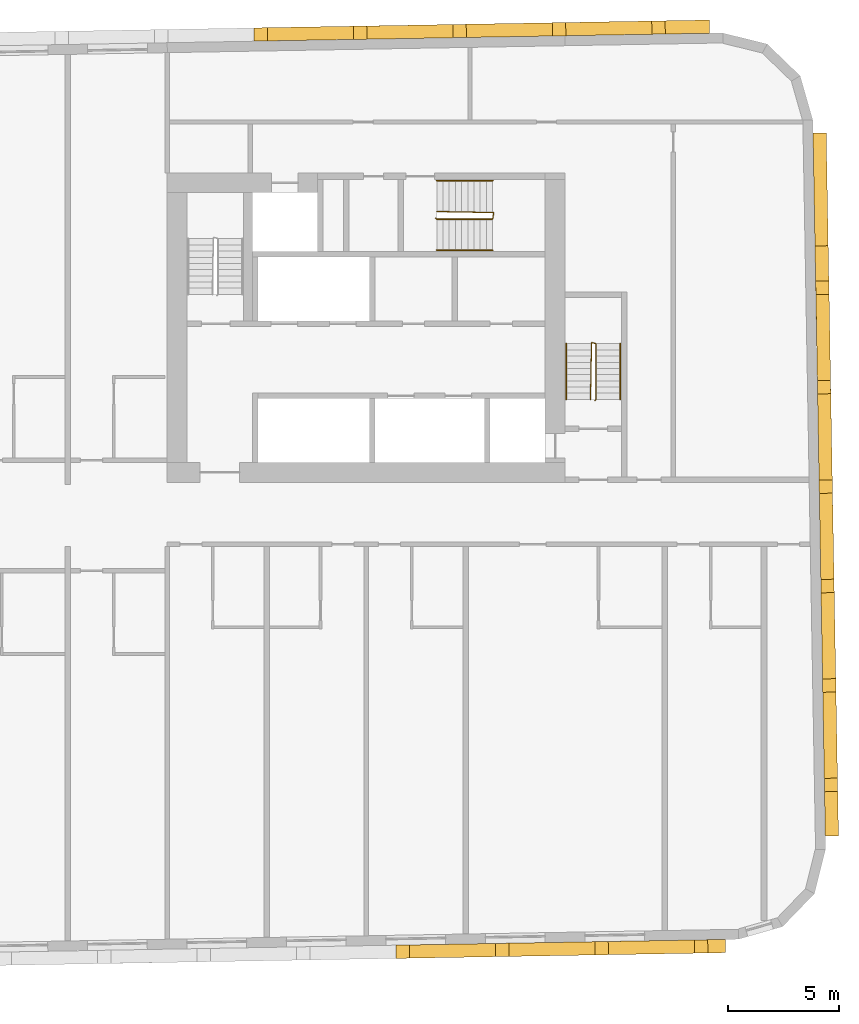
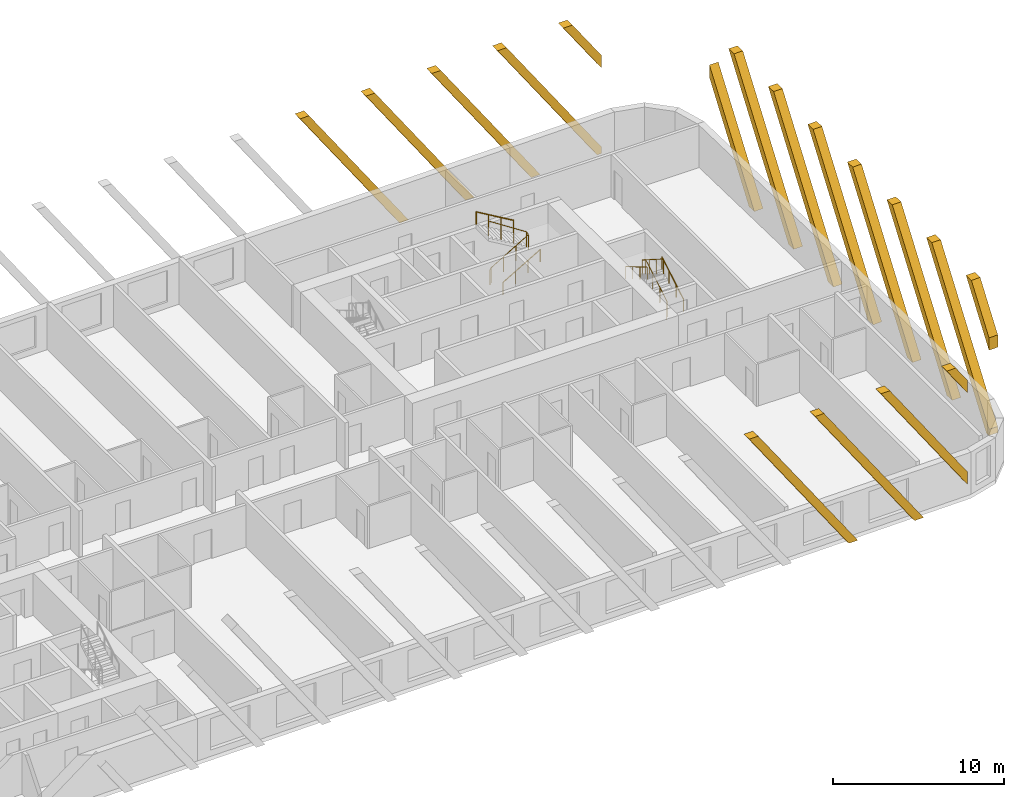
# One storey, part 13 of 13: 17 coverings, 6 railings.
"""IFC4 building model written with IfcOpenShell, lengths in metres."""

from ifc_helpers import new_model, si_unit, direction, frame, origin, origin_2d, place, context, subcontext, project, spatial, polyline, rectangle, circle, outline, extrude, material, material_profile, profile_set, type_object, element, save


model = new_model("IFC4")

# Units and contexts
model_context = context("Model", 3, precision=1e-05, world=origin(), true_north=direction((0.0, 1.0)))
body_context = subcontext(model_context, "Body", "Model", "MODEL_VIEW")
ifc_project = project(units=[si_unit("LENGTHUNIT", "METRE"), si_unit("AREAUNIT", "SQUARE_METRE"), si_unit("VOLUMEUNIT", "CUBIC_METRE"), si_unit("PLANEANGLEUNIT", "RADIAN"), si_unit("MASSUNIT", "GRAM", prefix="KILO")], contexts=[model_context])

# Site, building, storey
site_placement = place(None, origin())
site = spatial("IfcSite", under=ifc_project, at=site_placement, CompositionType="ELEMENT")
building_placement = place(site_placement, origin())
building = spatial("IfcBuilding", under=site, at=building_placement, Name="Kajstack Hotel Tower", CompositionType="ELEMENT")
storey_placement = place(building_placement, frame((0.0, 0.0, 237.5)))
storey = spatial("IfcBuildingStorey", under=building, at=storey_placement, Name="L58", CompositionType="ELEMENT", Elevation=237.5)

# Coverings
ifc_material_1 = material(Name="Terracotta", Category="masonry")
ifc_material_profile = material_profile(ifc_material_1, rectangle(XDim=0.60009765625, YDim=0.5, at=origin_2d()), Name="Terracotta-clad concrete baguette 500 x 600")
ifc_profile_set = profile_set([ifc_material_profile], Name="Terracotta")
covering_type = type_object("IfcCoveringType", Name="BAGUETTE 500x600", PredefinedType="CLADDING", material=ifc_profile_set)
covering_1_placement = place(storey_placement, frame((23.84716796875, -19.439208984375, 0.0), z_axis=(0.017498337962, -0.999846892363, 0.0), x_axis=(0.999846892363, 0.017498337962, 0.0)))
element("IfcCovering", 1, at=covering_1_placement, inside=storey, type_object=covering_type, Name="Baguette L58-04-054", PredefinedType="CLADDING", context=body_context, shape_type="SweptSolid", body=[
    extrude(outline(polyline([(0.0, 9.89990234375), (6.80419921875, 0.0), (7.410888671875, 0.0), (0.606689453125, 9.89990234375), (0.0, 9.89990234375)])), origin(), (0.0, 0.0, 1.0), 0.599853515625),
])
covering_2_placement = place(storey_placement, frame((28.346435546875, -19.360595703125, 0.0), z_axis=(0.017491221207, -0.999847016888, 0.0), x_axis=(0.999847016888, 0.017491221207, 0.0)))
element("IfcCovering", 2, at=covering_2_placement, inside=storey, type_object=covering_type, Name="Baguette L58-04-058", PredefinedType="CLADDING", context=body_context, shape_type="SweptSolid", body=[
    extrude(outline(polyline([(0.0, 9.89990234375), (6.80419921875, 0.0), (7.410888671875, 0.0), (0.606689453125, 9.89990234375), (0.0, 9.89990234375)])), origin(), (0.0, 0.0, 1.0), 0.60009765625),
])
covering_3_placement = place(storey_placement, frame((32.845947265625, -19.2822265625, 0.0), z_axis=(0.017498337962, -0.999846892363, 0.0), x_axis=(0.999846892363, 0.017498337962, 0.0)))
element("IfcCovering", 3, at=covering_3_placement, inside=storey, type_object=covering_type, Name="Baguette L58-04-062", PredefinedType="CLADDING", context=body_context, shape_type="SweptSolid", body=[
    extrude(outline(polyline([(0.0, 9.89990234375), (5.907470703125, 1.3046875), (5.907470703125, 2.1875), (0.606689453125, 9.89990234375), (0.0, 9.89990234375)])), origin(), (0.0, 0.0, 1.0), 0.599853515625),
])
covering_4_placement = place(storey_placement, frame((37.34521484375, -19.20361328125, 0.0), z_axis=(0.017498337962, -0.999846892363, 0.0), x_axis=(0.999846892363, 0.017498337962, 0.0)))
element("IfcCovering", 4, at=covering_4_placement, inside=storey, type_object=covering_type, Name="Baguette L58-04-066", PredefinedType="CLADDING", context=body_context, shape_type="SweptSolid", body=[
    extrude(outline(polyline([(0.0, 9.89990234375), (1.407470703125, 7.85205078125), (1.407470703125, 8.73486328125), (0.606689453125, 9.89990234375), (0.0, 9.89990234375)])), origin(), (0.0, 0.0, 1.0), 0.599853515625),
])
covering_5_placement = place(storey_placement, frame((43.271484375, -14.49951171875, 0.0), z_axis=(0.999846892363, 0.017498337962, 0.0), x_axis=(-0.017498337962, 0.999846892363, 0.0)))
element("IfcCovering", 5, at=covering_5_placement, inside=storey, type_object=covering_type, Name="Baguette L58-08-002", PredefinedType="CLADDING", context=body_context, shape_type="SweptSolid", body=[
    extrude(outline(polyline([(2.000732421875, 9.89990234375), (0.0, 6.989013671875), (0.0, 6.106201171875), (2.607421875, 9.89990234375), (2.000732421875, 9.89990234375)])), origin(), (0.0, 0.0, 1.0), 0.599853515625),
])
covering_6_placement = place(storey_placement, frame((43.271484375, -14.49951171875, 0.0), z_axis=(0.999846892363, 0.017498337962, 0.0), x_axis=(-0.017498337962, 0.999846892363, 0.0)))
element("IfcCovering", 6, at=covering_6_placement, inside=storey, type_object=covering_type, Name="Baguette L58-08-006", PredefinedType="CLADDING", context=body_context, shape_type="SweptSolid", body=[
    extrude(outline(polyline([(6.500732421875, 9.89990234375), (0.0, 0.44140625), (0.0, 0.0), (0.303466796875, 0.0), (7.107421875, 9.89990234375), (6.500732421875, 9.89990234375)])), origin(), (0.0, 0.0, 1.0), 0.599853515625),
])
for number, where, z_axis, x_axis, name in (
    (7, (43.1982421875, -10.303466796875, 0.0), (0.999846892363, 0.017498337962, 0.0), (-0.017498337962, 0.999846892363, 0.0), "Baguette L58-08-010"),
    (8, (43.11962890625, -5.80419921875, 0.0), (0.999846892363, 0.017498337962, 0.0), (-0.017498337962, 0.999846892363, 0.0), "Baguette L58-08-014"),
):
    element("IfcCovering", number, at=place(storey_placement, frame(where, z_axis=z_axis, x_axis=x_axis)), inside=storey, type_object=covering_type, Name=name, PredefinedType="CLADDING", context=body_context, shape_type="SweptSolid", body=[
        extrude(outline(polyline([(6.80419921875, 9.89990234375), (0.0, 0.0), (0.606689453125, 0.0), (7.410888671875, 9.89990234375), (6.80419921875, 9.89990234375)])), origin(), (0.0, 0.0, 1.0), 0.599853515625),
    ])
covering_7_placement = place(storey_placement, frame((43.041015625, -1.304931640625, 0.0), z_axis=(0.999847016888, 0.017491221207, 0.0), x_axis=(-0.017491221207, 0.999847016888, 0.0)))
element("IfcCovering", 9, at=covering_7_placement, inside=storey, type_object=covering_type, Name="Baguette L58-08-018", PredefinedType="CLADDING", context=body_context, shape_type="SweptSolid", body=[
    extrude(outline(polyline([(6.80419921875, 9.89990234375), (0.0, 0.0), (0.606689453125, 0.0), (7.410888671875, 9.89990234375), (6.80419921875, 9.89990234375)])), origin(), (0.0, 0.0, 1.0), 0.60009765625),
])
for number, where, z_axis, x_axis, name in (
    (10, (42.962646484375, 3.194580078125, 0.0), (0.999853929301, 0.017091520159, 0.0), (-0.017091520159, 0.999853929301, 0.0), "Baguette L58-08-022"),
    (11, (42.884033203125, 7.69384765625, 0.0), (0.999846892363, 0.017498337962, 0.0), (-0.017498337962, 0.999846892363, 0.0), "Baguette L58-08-026"),
):
    element("IfcCovering", number, at=place(storey_placement, frame(where, z_axis=z_axis, x_axis=x_axis)), inside=storey, type_object=covering_type, Name=name, PredefinedType="CLADDING", context=body_context, shape_type="SweptSolid", body=[
        extrude(outline(polyline([(6.80419921875, 9.89990234375), (0.0, 0.0), (0.606689453125, 0.0), (7.410888671875, 9.89990234375), (6.80419921875, 9.89990234375)])), origin(), (0.0, 0.0, 1.0), 0.599853515625),
    ])
covering_8_placement = place(storey_placement, frame((42.805419921875, 12.193115234375, 0.0), z_axis=(0.999846892363, 0.017498337962, 0.0), x_axis=(-0.017498337962, 0.999846892363, 0.0)))
element("IfcCovering", 12, at=covering_8_placement, inside=storey, type_object=covering_type, Name="Baguette L58-08-030", PredefinedType="CLADDING", context=body_context, shape_type="SweptSolid", body=[
    extrude(outline(polyline([(0.606689453125, 0.0), (5.103271484375, 6.542724609375), (5.103271484375, 7.425537109375), (0.0, 0.0), (0.606689453125, 0.0)])), origin(), (0.0, 0.0, 1.0), 0.599853515625),
])
covering_9_placement = place(storey_placement, frame((38.036865234375, 21.814697265625, 0.0), z_axis=(-0.017498337962, 0.999846892363, 0.0), x_axis=(-0.999846892363, -0.017498337962, 0.0)))
element("IfcCovering", 13, at=covering_9_placement, inside=storey, type_object=covering_type, Name="Baguette L58-12-002", PredefinedType="CLADDING", context=body_context, shape_type="SweptSolid", body=[
    extrude(outline(polyline([(2.000732421875, 9.89990234375), (0.0, 6.989013671875), (0.0, 6.106201171875), (2.607421875, 9.89990234375), (2.000732421875, 9.89990234375)])), origin(), (0.0, 0.0, 1.0), 0.599853515625),
])
covering_10_placement = place(storey_placement, frame((38.036865234375, 21.814697265625, 0.0), z_axis=(-0.017498337962, 0.999846892363, 0.0), x_axis=(-0.999846892363, -0.017498337962, 0.0)))
element("IfcCovering", 14, at=covering_10_placement, inside=storey, type_object=covering_type, Name="Baguette L58-12-006", PredefinedType="CLADDING", context=body_context, shape_type="SweptSolid", body=[
    extrude(outline(polyline([(6.500732421875, 9.89990234375), (0.0, 0.44140625), (0.0, 0.0), (0.303466796875, 0.0), (7.107421875, 9.89990234375), (6.500732421875, 9.89990234375)])), origin(), (0.0, 0.0, 1.0), 0.599853515625),
])
covering_11_placement = place(storey_placement, frame((33.8408203125, 21.741455078125, 0.0), z_axis=(-0.017498337962, 0.999846892363, 0.0), x_axis=(-0.999846892363, -0.017498337962, 0.0)))
element("IfcCovering", 15, at=covering_11_placement, inside=storey, type_object=covering_type, Name="Baguette L58-12-010", PredefinedType="CLADDING", context=body_context, shape_type="SweptSolid", body=[
    extrude(outline(polyline([(6.80419921875, 9.89990234375), (0.0, 0.0), (0.606689453125, 0.0), (7.410888671875, 9.89990234375), (6.80419921875, 9.89990234375)])), origin(), (0.0, 0.0, 1.0), 0.599853515625),
])
covering_12_placement = place(storey_placement, frame((29.341552734375, 21.662841796875, 0.0), z_axis=(-0.017491221207, 0.999847016888, 0.0), x_axis=(-0.999847016888, -0.017491221207, 0.0)))
element("IfcCovering", 16, at=covering_12_placement, inside=storey, type_object=covering_type, Name="Baguette L58-12-014", PredefinedType="CLADDING", context=body_context, shape_type="SweptSolid", body=[
    extrude(outline(polyline([(6.80419921875, 9.89990234375), (0.0, 0.0), (0.606689453125, 0.0), (7.410888671875, 9.89990234375), (6.80419921875, 9.89990234375)])), origin(), (0.0, 0.0, 1.0), 0.60009765625),
])
covering_13_placement = place(storey_placement, frame((24.842041015625, 21.58447265625, 0.0), z_axis=(-0.017091520159, 0.999853929301, 0.0), x_axis=(-0.999853929301, -0.017091520159, 0.0)))
element("IfcCovering", 17, at=covering_13_placement, inside=storey, type_object=covering_type, Name="Baguette L58-12-018", PredefinedType="CLADDING", context=body_context, shape_type="SweptSolid", body=[
    extrude(outline(polyline([(6.80419921875, 9.89990234375), (0.0, 0.0), (0.606689453125, 0.0), (7.410888671875, 9.89990234375), (6.80419921875, 9.89990234375)])), origin(), (0.0, 0.0, 1.0), 0.599853515625),
])

# Railings
ifc_material_2 = material(Name="Steel S355J2", Category="steel")
railing_type_1 = type_object("IfcRailingType", Name="Stair guard 1100", PredefinedType="GUARDRAIL", material=ifc_material_2)
railing_1_placement = place(storey_placement, frame((32.85009765625, 5.199951171875, 0.0)))
element("IfcRailing", 18, at=railing_1_placement, inside=storey, type_object=railing_type_1, Name="L58 E1 stair guard 1", PredefinedType="GUARDRAIL", context=body_context, shape_type="SweptSolid", body=[
    extrude(circle(Radius=0.02392578125, at=origin_2d()), frame((0.0, 0.0, 1.076171875), z_axis=(0.277450376394, 0.278810427259, 0.919394384522), x_axis=(-0.708833529934, 0.705375805398, 0.0)), (0.0, 0.0, 1.0), 0.179443359375),
    extrude(circle(Radius=0.02392578125, at=origin_2d()), frame((0.0498046875, 0.050048828125, 1.2412109375), z_axis=(0.0, 0.861560626758, 0.507654692109), x_axis=(-1.0, 0.0, 0.0)), (0.0, 0.0, 1.0), 2.925048828125),
    extrude(circle(Radius=0.02392578125, at=origin_2d()), frame((0.0498046875, 2.570068359375, 2.72607421875), z_axis=(-0.970072785993, 0.242814311512, 0.0), x_axis=(-0.242814311512, -0.970072785993, 0.0)), (0.0, 0.0, 1.0), 0.2060546875),
    extrude(circle(Radius=0.02392578125, at=origin_2d()), frame((-0.150146484375, 2.6201171875, 2.72607421875), z_axis=(-0.016384601254, -0.84136925563, 0.540212292087), x_axis=(0.999810440751, -0.019470042781, 0.0)), (0.0, 0.0, 1.0), 3.0546875),
    extrude(circle(Radius=0.02099609375, at=origin_2d()), origin(), (0.0, 0.0, 1.0), 1.052001953125),
    extrude(circle(Radius=0.02099609375, at=origin_2d()), frame((0.0498046875, 0.050048828125, 0.1650390625)), (0.0, 0.0, 1.0), 1.052001953125),
    extrude(circle(Radius=0.02099609375, at=origin_2d()), frame((0.0498046875, 0.89013671875, 0.659912109375)), (0.0, 0.0, 1.0), 1.052001953125),
    extrude(circle(Radius=0.02099609375, at=origin_2d()), frame((0.0498046875, 1.72998046875, 1.155029296875)), (0.0, 0.0, 1.0), 1.052001953125),
    extrude(circle(Radius=0.02099609375, at=origin_2d()), frame((0.0498046875, 2.570068359375, 1.64990234375)), (0.0, 0.0, 1.0), 1.052001953125),
    extrude(circle(Radius=0.02099609375, at=origin_2d()), frame((-0.150146484375, 2.6201171875, 1.64990234375)), (0.0, 0.0, 1.0), 1.052001953125),
    extrude(circle(Radius=0.02099609375, at=origin_2d()), frame((-0.166748046875, 1.763427734375, 2.199951171875)), (0.0, 0.0, 1.0), 1.052001953125),
    extrude(circle(Radius=0.02099609375, at=origin_2d()), frame((-0.18359375, 0.90673828125, 2.75)), (0.0, 0.0, 1.0), 1.052001953125),
    extrude(circle(Radius=0.02099609375, at=origin_2d()), frame((-0.2001953125, 0.050048828125, 3.300048828125)), (0.0, 0.0, 1.0), 1.052001953125),
])
railing_2_placement = place(storey_placement, frame((25.64990234375, 13.449951171875, 0.0)))
element("IfcRailing", 19, at=railing_2_placement, inside=storey, type_object=railing_type_1, Name="L58 E3 stair guard 1", PredefinedType="GUARDRAIL", context=body_context, shape_type="SweptSolid", body=[
    extrude(circle(Radius=0.02392578125, at=origin_2d()), frame((0.0, 0.0, 1.076171875), z_axis=(0.278705021027, -0.278705021027, 0.919046801044), x_axis=(0.707106781187, 0.707106781187, 0.0)), (0.0, 0.0, 1.0), 0.1796875),
    extrude(circle(Radius=0.02392578125, at=origin_2d()), frame((0.050048828125, -0.050048828125, 1.2412109375), z_axis=(0.861560626758, 0.0, 0.507654692109), x_axis=(0.0, 1.0, 0.0)), (0.0, 0.0, 1.0), 2.925048828125),
    extrude(circle(Radius=0.02392578125, at=origin_2d()), frame((2.570068359375, -0.050048828125, 2.72607421875), z_axis=(0.164529134168, 0.986372223864, 0.0), x_axis=(-0.986372223864, 0.164529134168, 0.0)), (0.0, 0.0, 1.0), 0.30419921875),
    extrude(circle(Radius=0.02392578125, at=origin_2d()), frame((2.6201171875, 0.25, 2.72607421875), z_axis=(-0.84136925563, 0.016384601254, 0.540212292087), x_axis=(-0.019470042781, -0.999810440751, 0.0)), (0.0, 0.0, 1.0), 3.0546875),
    extrude(circle(Radius=0.02099609375, at=origin_2d()), origin(), (0.0, 0.0, 1.0), 1.052001953125),
    extrude(circle(Radius=0.02099609375, at=origin_2d()), frame((0.050048828125, -0.050048828125, 0.1650390625)), (0.0, 0.0, 1.0), 1.052001953125),
    extrude(circle(Radius=0.02099609375, at=origin_2d()), frame((0.89013671875, -0.050048828125, 0.659912109375)), (0.0, 0.0, 1.0), 1.052001953125),
    extrude(circle(Radius=0.02099609375, at=origin_2d()), frame((1.72998046875, -0.050048828125, 1.155029296875)), (0.0, 0.0, 1.0), 1.052001953125),
    extrude(circle(Radius=0.02099609375, at=origin_2d()), frame((2.570068359375, -0.050048828125, 1.64990234375)), (0.0, 0.0, 1.0), 1.052001953125),
    extrude(circle(Radius=0.02099609375, at=origin_2d()), frame((2.6201171875, 0.25, 1.64990234375)), (0.0, 0.0, 1.0), 1.052001953125),
    extrude(circle(Radius=0.02099609375, at=origin_2d()), frame((1.763427734375, 0.2666015625, 2.199951171875)), (0.0, 0.0, 1.0), 1.052001953125),
    extrude(circle(Radius=0.02099609375, at=origin_2d()), frame((0.90673828125, 0.283447265625, 2.75)), (0.0, 0.0, 1.0), 1.052001953125),
    extrude(circle(Radius=0.02099609375, at=origin_2d()), frame((0.050048828125, 0.300048828125, 3.300048828125)), (0.0, 0.0, 1.0), 1.052001953125),
])
railing_type_2 = type_object("IfcRailingType", Name="Stair handrail 900", PredefinedType="HANDRAIL", material=ifc_material_2)
railing_3_placement = place(storey_placement, frame((34.0, 5.25, 0.1650390625)))
element("IfcRailing", 20, at=railing_3_placement, inside=storey, type_object=railing_type_2, Name="L58 E1 stair handrail 1", PredefinedType="HANDRAIL", context=body_context, shape_type="SweptSolid", body=[
    extrude(circle(Radius=0.02392578125, at=origin_2d()), frame((0.0, 0.0, 0.8759765625), z_axis=(0.0, 0.861560626758, 0.507654692109), x_axis=(-1.0, 0.0, 0.0)), (0.0, 0.0, 1.0), 2.925048828125),
    extrude(circle(Radius=0.02099609375, at=origin_2d()), origin(), (0.0, 0.0, 1.0), 0.851806640625),
    extrude(circle(Radius=0.02099609375, at=origin_2d()), frame((0.0, 0.840087890625, 0.494873046875)), (0.0, 0.0, 1.0), 0.851806640625),
    extrude(circle(Radius=0.02099609375, at=origin_2d()), frame((0.0, 1.679931640625, 0.989990234375)), (0.0, 0.0, 1.0), 0.851806640625),
    extrude(circle(Radius=0.02099609375, at=origin_2d()), frame((0.0, 2.52001953125, 1.48486328125)), (0.0, 0.0, 1.0), 0.851806640625),
])
railing_4_placement = place(storey_placement, frame((31.550048828125, 7.77001953125, 1.81494140625)))
element("IfcRailing", 21, at=railing_4_placement, inside=storey, type_object=railing_type_2, Name="L58 E1 stair handrail 2", PredefinedType="HANDRAIL", context=body_context, shape_type="SweptSolid", body=[
    extrude(circle(Radius=0.02392578125, at=origin_2d()), frame((0.0, 0.0, 0.8759765625), z_axis=(0.0, -0.86152411907, 0.507716645641), x_axis=(1.0, 0.0, 0.0)), (0.0, 0.0, 1.0), 2.925048828125),
    extrude(circle(Radius=0.02099609375, at=origin_2d()), origin(), (0.0, 0.0, 1.0), 0.851806640625),
    extrude(circle(Radius=0.02099609375, at=origin_2d()), frame((0.0, -0.840087890625, 0.4951171875)), (0.0, 0.0, 1.0), 0.851806640625),
    extrude(circle(Radius=0.02099609375, at=origin_2d()), frame((0.0, -1.679931640625, 0.989990234375)), (0.0, 0.0, 1.0), 0.851806640625),
    extrude(circle(Radius=0.02099609375, at=origin_2d()), frame((0.0, -2.52001953125, 1.485107421875)), (0.0, 0.0, 1.0), 0.851806640625),
])
railing_5_placement = place(storey_placement, frame((25.699951171875, 12.0, 0.1650390625)))
element("IfcRailing", 22, at=railing_5_placement, inside=storey, type_object=railing_type_2, Name="L58 E3 stair handrail 1", PredefinedType="HANDRAIL", context=body_context, shape_type="SweptSolid", body=[
    extrude(circle(Radius=0.02392578125, at=origin_2d()), frame((0.0, 0.0, 0.8759765625), z_axis=(0.861560626758, 0.0, 0.507654692109), x_axis=(0.0, 1.0, 0.0)), (0.0, 0.0, 1.0), 2.925048828125),
    extrude(circle(Radius=0.02099609375, at=origin_2d()), origin(), (0.0, 0.0, 1.0), 0.851806640625),
    extrude(circle(Radius=0.02099609375, at=origin_2d()), frame((0.840087890625, 0.0, 0.494873046875)), (0.0, 0.0, 1.0), 0.851806640625),
    extrude(circle(Radius=0.02099609375, at=origin_2d()), frame((1.679931640625, 0.0, 0.989990234375)), (0.0, 0.0, 1.0), 0.851806640625),
    extrude(circle(Radius=0.02099609375, at=origin_2d()), frame((2.52001953125, 0.0, 1.48486328125)), (0.0, 0.0, 1.0), 0.851806640625),
])
railing_6_placement = place(storey_placement, frame((28.219970703125, 15.14990234375, 1.81494140625)))
element("IfcRailing", 23, at=railing_6_placement, inside=storey, type_object=railing_type_2, Name="L58 E3 stair handrail 2", PredefinedType="HANDRAIL", context=body_context, shape_type="SweptSolid", body=[
    extrude(circle(Radius=0.02392578125, at=origin_2d()), frame((0.0, 0.0, 0.8759765625), z_axis=(-0.86152411907, 0.0, 0.507716645641), x_axis=(0.0, -1.0, 0.0)), (0.0, 0.0, 1.0), 2.925048828125),
    extrude(circle(Radius=0.02099609375, at=origin_2d()), origin(), (0.0, 0.0, 1.0), 0.851806640625),
    extrude(circle(Radius=0.02099609375, at=origin_2d()), frame((-0.840087890625, 0.0, 0.4951171875)), (0.0, 0.0, 1.0), 0.851806640625),
    extrude(circle(Radius=0.02099609375, at=origin_2d()), frame((-1.679931640625, 0.0, 0.989990234375)), (0.0, 0.0, 1.0), 0.851806640625),
    extrude(circle(Radius=0.02099609375, at=origin_2d()), frame((-2.52001953125, 0.0, 1.485107421875)), (0.0, 0.0, 1.0), 0.851806640625),
])

save(model, "model.ifc")
